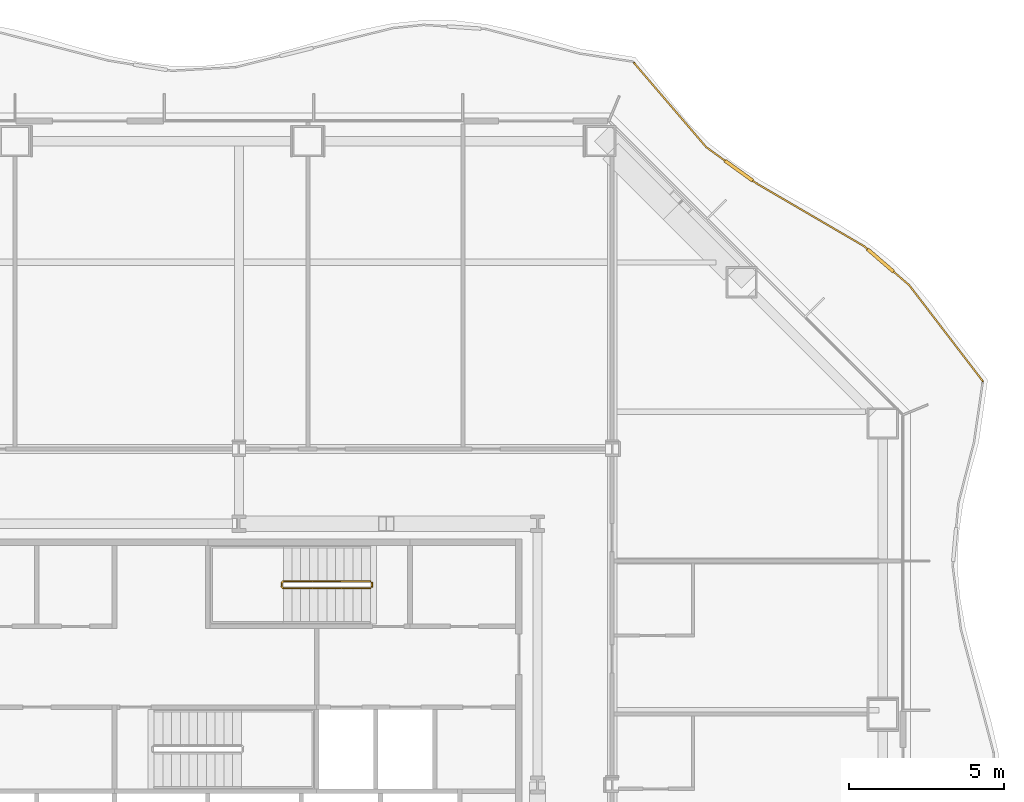
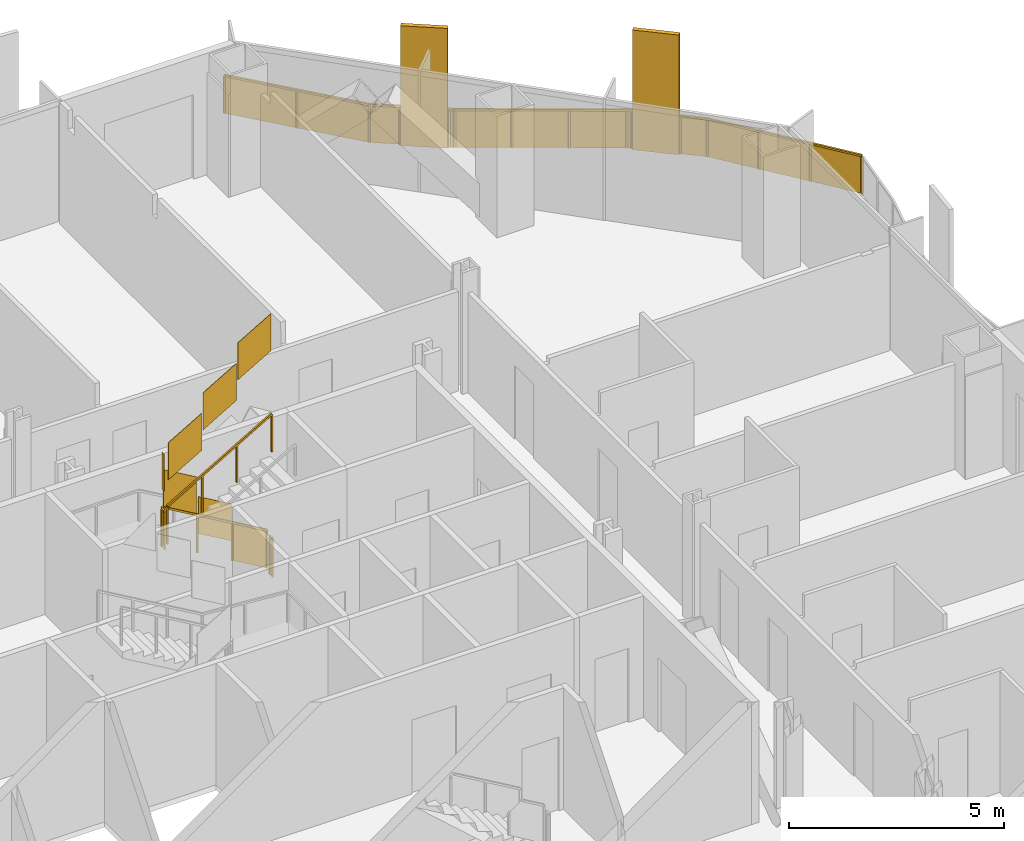
# One storey, part 21 of 21: 3 railings.
"""IFC4 building model written with IfcOpenShell, lengths in metres."""

from ifc_helpers import new_model, si_unit, direction, frame, origin, origin_2d, place, context, subcontext, project, spatial, polyline, rectangle, outline, extrude, material, type_object, element, save


model = new_model("IFC4")

# Units and contexts
model_context = context("Model", 3, precision=1e-05, world=origin(), true_north=direction((0.0, 1.0)))
body_context = subcontext(model_context, "Body", "Model", "MODEL_VIEW")
ifc_project = project(units=[si_unit("LENGTHUNIT", "METRE"), si_unit("AREAUNIT", "SQUARE_METRE"), si_unit("VOLUMEUNIT", "CUBIC_METRE"), si_unit("PLANEANGLEUNIT", "RADIAN"), si_unit("MASSUNIT", "GRAM", prefix="KILO")], contexts=[model_context])

# Site, building, storey
site_placement = place(None, origin())
site = spatial("IfcSite", under=ifc_project, at=site_placement, CompositionType="ELEMENT")
building_placement = place(site_placement, origin())
building = spatial("IfcBuilding", under=site, at=building_placement, Name="Cairn Pilgrim Tower", CompositionType="ELEMENT")
storey_placement = place(building_placement, frame((0.0, 0.0, 43.800048828125)))
storey = spatial("IfcBuildingStorey", under=building, at=storey_placement, Name="L08", CompositionType="ELEMENT", Elevation=43.800048828125)

# Railings
ifc_material_1 = material(Name="Bronze anodised aluminium rail, posts and fin screens with laminated glass infill", Category="aluminium")
railing_type_1 = type_object("IfcRailingType", Name="BALCONY GUARD WITH FIN SCREENS", PredefinedType="GUARDRAIL", material=ifc_material_1)
railing_1_placement = place(storey_placement, frame((31.11767578125, 15.384033203125, 0.0)))
element("IfcRailing", 1, at=railing_1_placement, inside=storey, type_object=railing_type_1, Name="Balcony guard BGF-4 with fin screens", PredefinedType="GUARDRAIL", context=body_context, shape_type="SweptSolid", body=[
    extrude(rectangle(XDim=0.050048828125, YDim=0.050048828125, at=origin_2d()), frame((0.0, 0.0, 1.0751953125), z_axis=(-0.608521134207, 0.793537667174, 0.0), x_axis=(-0.793537667174, -0.608521134207, 0.0)), (0.0, 0.0, 1.0), 3.89013671875),
    extrude(rectangle(XDim=1.10009765625, YDim=0.110107421875, at=origin_2d()), frame((-3.287109375, 3.88134765625, 0.0), z_axis=(0.0, 0.0, 1.0), x_axis=(-0.756840202902, 0.653599959663, 0.0)), (0.0, 0.0, 1.0), 3.39990234375),
    extrude(rectangle(XDim=0.050048828125, YDim=0.050048828125, at=origin_2d()), frame((-2.3671875, 3.0869140625, 1.0751953125), z_axis=(-0.756840202902, 0.653599959663, 0.0), x_axis=(-0.653599959663, -0.756840202902, 0.0)), (0.0, 0.0, 1.0), 0.66552734375),
    extrude(rectangle(XDim=0.050048828125, YDim=0.050048828125, at=origin_2d()), frame((-3.703369140625, 4.240966796875, 1.0751953125), z_axis=(-0.756840202902, 0.653599959663, 0.0), x_axis=(-0.653599959663, -0.756840202902, 0.0)), (0.0, 0.0, 1.0), 0.14990234375),
    extrude(rectangle(XDim=0.050048828125, YDim=0.050048828125, at=origin_2d()), frame((-3.81689453125, 4.3388671875, 1.0751953125), z_axis=(-0.863686011259, 0.504030231193, 0.0), x_axis=(-0.504030231193, -0.863686011259, 0.0)), (0.0, 0.0, 1.0), 4.00439453125),
    extrude(rectangle(XDim=1.10009765625, YDim=0.110107421875, at=origin_2d()), frame((-7.84326171875, 6.7666015625, 0.0), z_axis=(0.0, 0.0, 1.0), x_axis=(-0.811180439671, 0.58479594244, 0.0)), (0.0, 0.0, 1.0), 3.39990234375),
    extrude(rectangle(XDim=0.050048828125, YDim=0.050048828125, at=origin_2d()), frame((-7.275390625, 6.357177734375, 1.0751953125), z_axis=(-0.811180439671, 0.58479594244, 0.0), x_axis=(-0.58479594244, -0.811180439671, 0.0)), (0.0, 0.0, 1.0), 0.14990234375),
    extrude(rectangle(XDim=0.050048828125, YDim=0.050048828125, at=origin_2d()), frame((-8.289306640625, 7.088134765625, 1.0751953125), z_axis=(-0.811180439671, 0.58479594244, 0.0), x_axis=(-0.58479594244, -0.811180439671, 0.0)), (0.0, 0.0, 1.0), 0.73974609375),
    extrude(rectangle(XDim=0.050048828125, YDim=0.050048828125, at=origin_2d()), frame((-8.889404296875, 7.520751953125, 1.0751953125), z_axis=(-0.650966088441, 0.759106811786, 0.0), x_axis=(-0.759106811786, -0.650966088441, 0.0)), (0.0, 0.0, 1.0), 3.567138671875),
    extrude(rectangle(XDim=0.050048828125, YDim=0.050048828125, at=origin_2d()), origin(), (0.0, 0.0, 1.0), 1.050048828125),
    extrude(rectangle(XDim=0.050048828125, YDim=0.050048828125, at=origin_2d()), frame((-0.7890625, 1.029052734375, 0.0)), (0.0, 0.0, 1.0), 1.050048828125),
    extrude(rectangle(XDim=0.050048828125, YDim=0.050048828125, at=origin_2d()), frame((-1.578125, 2.057861328125, 0.0)), (0.0, 0.0, 1.0), 1.050048828125),
    extrude(rectangle(XDim=0.050048828125, YDim=0.050048828125, at=origin_2d()), frame((-2.3671875, 3.0869140625, 0.0)), (0.0, 0.0, 1.0), 1.050048828125),
    extrude(rectangle(XDim=0.050048828125, YDim=0.050048828125, at=origin_2d()), frame((-2.85205078125, 3.505615234375, 0.0)), (0.0, 0.0, 1.0), 1.050048828125),
    extrude(rectangle(XDim=0.050048828125, YDim=0.050048828125, at=origin_2d()), frame((-3.722412109375, 4.25732421875, 0.0)), (0.0, 0.0, 1.0), 1.050048828125),
    extrude(rectangle(XDim=0.050048828125, YDim=0.050048828125, at=origin_2d()), frame((-3.81689453125, 4.3388671875, 0.0)), (0.0, 0.0, 1.0), 1.050048828125),
    extrude(rectangle(XDim=0.050048828125, YDim=0.050048828125, at=origin_2d()), frame((-4.9697265625, 5.01171875, 0.0)), (0.0, 0.0, 1.0), 1.050048828125),
    extrude(rectangle(XDim=0.050048828125, YDim=0.050048828125, at=origin_2d()), frame((-6.12255859375, 5.684326171875, 0.0)), (0.0, 0.0, 1.0), 1.050048828125),
    extrude(rectangle(XDim=0.050048828125, YDim=0.050048828125, at=origin_2d()), frame((-7.275390625, 6.357177734375, 0.0)), (0.0, 0.0, 1.0), 1.050048828125),
    extrude(rectangle(XDim=0.050048828125, YDim=0.050048828125, at=origin_2d()), frame((-7.376708984375, 6.43017578125, 0.0)), (0.0, 0.0, 1.0), 1.050048828125),
    extrude(rectangle(XDim=0.050048828125, YDim=0.050048828125, at=origin_2d()), frame((-8.3095703125, 7.102783203125, 0.0)), (0.0, 0.0, 1.0), 1.050048828125),
    extrude(rectangle(XDim=0.050048828125, YDim=0.050048828125, at=origin_2d()), frame((-8.889404296875, 7.520751953125, 0.0)), (0.0, 0.0, 1.0), 1.050048828125),
    extrude(rectangle(XDim=0.050048828125, YDim=0.050048828125, at=origin_2d()), frame((-10.05029296875, 8.87451171875, 0.0)), (0.0, 0.0, 1.0), 1.050048828125),
    extrude(rectangle(XDim=0.050048828125, YDim=0.050048828125, at=origin_2d()), frame((-11.21142578125, 10.228515625, 0.0)), (0.0, 0.0, 1.0), 1.050048828125),
    extrude(outline(polyline([(0.02490234375, 0.0), (1.271728515625, 0.0), (1.271728515625, 1.050048828125), (0.02490234375, 1.050048828125), (0.02490234375, 0.0)])), frame((-0.004638671875, -0.003662109375, 0.0), z_axis=(0.793537667174, 0.608521134207, 0.0), x_axis=(-0.608521134207, 0.793537667174, 0.0)), (0.0, 0.0, 1.0), 0.011962890625),
    extrude(outline(polyline([(0.02490234375, 0.0), (1.271728515625, 0.0), (1.271728515625, 1.050048828125), (0.02490234375, 1.050048828125), (0.02490234375, 0.0)])), frame((-0.793701171875, 1.025390625, 0.0), z_axis=(0.793537667174, 0.608521134207, 0.0), x_axis=(-0.608521134207, 0.793537667174, 0.0)), (0.0, 0.0, 1.0), 0.011962890625),
    extrude(outline(polyline([(0.02490234375, 0.0), (1.271728515625, 0.0), (1.271728515625, 1.050048828125), (0.02490234375, 1.050048828125), (0.02490234375, 0.0)])), frame((-1.582763671875, 2.05419921875, 0.0), z_axis=(0.793537667174, 0.608521134207, 0.0), x_axis=(-0.608521134207, 0.793537667174, 0.0)), (0.0, 0.0, 1.0), 0.011962890625),
    extrude(outline(polyline([(0.02490234375, 0.0), (0.615478515625, 0.0), (0.615478515625, 1.050048828125), (0.02490234375, 1.050048828125), (0.02490234375, 0.0)])), frame((-2.37109375, 3.082275390625, 0.0), z_axis=(0.653599959663, 0.756840202902, 0.0), x_axis=(-0.756840202902, 0.653599959663, 0.0)), (0.0, 0.0, 1.0), 0.011962890625),
    extrude(outline(polyline([(0.02490234375, 0.0), (0.099853515625, 0.0), (0.099853515625, 1.050048828125), (0.02490234375, 1.050048828125), (0.02490234375, 0.0)])), frame((-3.726318359375, 4.252685546875, 0.0), z_axis=(0.653599959663, 0.756840202902, 0.0), x_axis=(-0.756840202902, 0.653599959663, 0.0)), (0.0, 0.0, 1.0), 0.011962890625),
    extrude(outline(polyline([(0.02490234375, 0.0), (1.309814453125, 0.0), (1.309814453125, 1.050048828125), (0.02490234375, 1.050048828125), (0.02490234375, 0.0)])), frame((-3.81982421875, 4.333740234375, 0.0), z_axis=(0.504030231193, 0.863686011259, 0.0), x_axis=(-0.863686011259, 0.504030231193, 0.0)), (0.0, 0.0, 1.0), 0.011962890625),
    extrude(outline(polyline([(0.02490234375, 0.0), (1.309814453125, 0.0), (1.309814453125, 1.050048828125), (0.02490234375, 1.050048828125), (0.02490234375, 0.0)])), frame((-4.97265625, 5.006591796875, 0.0), z_axis=(0.504030231193, 0.863686011259, 0.0), x_axis=(-0.863686011259, 0.504030231193, 0.0)), (0.0, 0.0, 1.0), 0.011962890625),
    extrude(outline(polyline([(0.02490234375, 0.0), (1.309814453125, 0.0), (1.309814453125, 1.050048828125), (0.02490234375, 1.050048828125), (0.02490234375, 0.0)])), frame((-6.12548828125, 5.67919921875, 0.0), z_axis=(0.504030231193, 0.863686011259, 0.0), x_axis=(-0.863686011259, 0.504030231193, 0.0)), (0.0, 0.0, 1.0), 0.011962890625),
    extrude(outline(polyline([(0.02490234375, 0.0), (0.099853515625, 0.0), (0.099853515625, 1.050048828125), (0.02490234375, 1.050048828125), (0.02490234375, 0.0)])), frame((-7.27880859375, 6.352294921875, 0.0), z_axis=(0.58479594244, 0.811180439671, 0.0), x_axis=(-0.811180439671, 0.58479594244, 0.0)), (0.0, 0.0, 1.0), 0.011962890625),
    extrude(outline(polyline([(0.02490234375, 0.0), (0.689697265625, 0.0), (0.689697265625, 1.050048828125), (0.02490234375, 1.050048828125), (0.02490234375, 0.0)])), frame((-8.31298828125, 7.097900390625, 0.0), z_axis=(0.58479594244, 0.811180439671, 0.0), x_axis=(-0.811180439671, 0.58479594244, 0.0)), (0.0, 0.0, 1.0), 0.011962890625),
    extrude(outline(polyline([(0.02490234375, 0.0), (1.758544921875, 0.0), (1.758544921875, 1.050048828125), (0.02490234375, 1.050048828125), (0.02490234375, 0.0)])), frame((-8.89404296875, 7.516845703125, 0.0), z_axis=(0.759106811786, 0.650966088441, 0.0), x_axis=(-0.650966088441, 0.759106811786, 0.0)), (0.0, 0.0, 1.0), 0.011962890625),
    extrude(outline(polyline([(0.02490234375, 0.0), (1.758544921875, 0.0), (1.758544921875, 1.050048828125), (0.02490234375, 1.050048828125), (0.02490234375, 0.0)])), frame((-10.054931640625, 8.870849609375, 0.0), z_axis=(0.759106811786, 0.650966088441, 0.0), x_axis=(-0.650966088441, 0.759106811786, 0.0)), (0.0, 0.0, 1.0), 0.011962890625),
])
ifc_material_2 = material(Name="Painted steel", Category="steel")
railing_type_2 = type_object("IfcRailingType", Name="STAIR GUARD 1100", PredefinedType="GUARDRAIL", material=ifc_material_2)
railing_2_placement = place(storey_placement, frame((11.425048828125, 8.949951171875, 0.16357421875)))
element("IfcRailing", 2, at=railing_2_placement, inside=storey, type_object=railing_type_2, Name="L08 ST-C stair guard 1", PredefinedType="GUARDRAIL", context=body_context, shape_type="SweptSolid", body=[
    extrude(rectangle(XDim=0.048095703125, YDim=0.048095703125, at=origin_2d()), frame((0.0, 0.0, 1.076171875), z_axis=(-0.863360870873, 0.0, 0.504586966384), x_axis=(0.0, -1.0, 0.0)), (0.0, 0.0, 1.0), 3.2431640625),
    extrude(rectangle(XDim=0.048095703125, YDim=0.048095703125, at=origin_2d()), frame((-2.800048828125, 0.0, 2.71240234375), z_axis=(-0.707106781187, -0.707106781187, 0.0), x_axis=(0.707106781187, -0.707106781187, 0.0)), (0.0, 0.0, 1.0), 0.07080078125),
    extrude(rectangle(XDim=0.048095703125, YDim=0.048095703125, at=origin_2d()), frame((-2.85009765625, -0.050048828125, 2.71240234375), z_axis=(0.0, -1.0, 0.0), x_axis=(1.0, 0.0, 0.0)), (0.0, 0.0, 1.0), 0.125),
    extrude(rectangle(XDim=0.048095703125, YDim=0.048095703125, at=origin_2d()), frame((-2.85009765625, -0.175048828125, 2.71240234375), z_axis=(0.280916556609, -0.279546231943, 0.91811752648), x_axis=(0.705375805398, 0.708833529934, 0.0)), (0.0, 0.0, 1.0), 0.17822265625),
    extrude(rectangle(XDim=0.048095703125, YDim=0.048095703125, at=origin_2d()), frame((-2.800048828125, -0.224853515625, 2.8759765625), z_axis=(0.863393664356, 0.0, 0.504530851732), x_axis=(0.0, 1.0, 0.0)), (0.0, 0.0, 1.0), 3.2431640625),
    extrude(rectangle(XDim=0.0419921875, YDim=0.0419921875, at=origin_2d()), origin(), (0.0, 0.0, 1.0), 1.052001953125),
    extrude(rectangle(XDim=0.0419921875, YDim=0.0419921875, at=origin_2d()), frame((-0.933349609375, 0.0, 0.54541015625)), (0.0, 0.0, 1.0), 1.052001953125),
    extrude(rectangle(XDim=0.0419921875, YDim=0.0419921875, at=origin_2d()), frame((-1.86669921875, 0.0, 1.091064453125)), (0.0, 0.0, 1.0), 1.052001953125),
    extrude(rectangle(XDim=0.0419921875, YDim=0.0419921875, at=origin_2d()), frame((-2.800048828125, 0.0, 1.636474609375)), (0.0, 0.0, 1.0), 1.052001953125),
    extrude(rectangle(XDim=0.0419921875, YDim=0.0419921875, at=origin_2d()), frame((-2.85009765625, -0.050048828125, 1.636474609375)), (0.0, 0.0, 1.0), 1.052001953125),
    extrude(rectangle(XDim=0.0419921875, YDim=0.0419921875, at=origin_2d()), frame((-2.85009765625, -0.175048828125, 1.636474609375)), (0.0, 0.0, 1.0), 1.052001953125),
    extrude(rectangle(XDim=0.0419921875, YDim=0.0419921875, at=origin_2d()), frame((-2.800048828125, -0.224853515625, 1.800048828125)), (0.0, 0.0, 1.0), 1.052001953125),
    extrude(rectangle(XDim=0.0419921875, YDim=0.0419921875, at=origin_2d()), frame((-1.86669921875, -0.224853515625, 2.345458984375)), (0.0, 0.0, 1.0), 1.052001953125),
    extrude(rectangle(XDim=0.0419921875, YDim=0.0419921875, at=origin_2d()), frame((-0.933349609375, -0.224853515625, 2.890869140625)), (0.0, 0.0, 1.0), 1.052001953125),
    extrude(rectangle(XDim=0.0419921875, YDim=0.0419921875, at=origin_2d()), frame((0.0, -0.224853515625, 3.436279296875)), (0.0, 0.0, 1.0), 1.052001953125),
    extrude(outline(polyline([(0.02099609375, 0.01220703125), (0.912353515625, 0.533203125), (0.912353515625, 1.585205078125), (0.02099609375, 1.064208984375), (0.02099609375, 0.01220703125)])), frame((0.0, -0.005859375, 0.0), z_axis=(0.0, 1.0, 0.0), x_axis=(-1.0, 0.0, 0.0)), (0.0, 0.0, 1.0), 0.011962890625),
    extrude(outline(polyline([(0.02099609375, 0.557861328125), (0.912353515625, 1.07861328125), (0.912353515625, 2.130615234375), (0.02099609375, 1.60986328125), (0.02099609375, 0.557861328125)])), frame((-0.933349609375, -0.005859375, 0.54541015625), z_axis=(0.0, 1.0, 0.0), x_axis=(-1.0, 0.0, 0.0)), (0.0, 0.0, 1.0), 0.011962890625),
    extrude(outline(polyline([(0.02099609375, 1.103271484375), (0.912353515625, 1.624267578125), (0.912353515625, 2.67626953125), (0.02099609375, 2.1552734375), (0.02099609375, 1.103271484375)])), frame((-1.86669921875, -0.005859375, 1.091064453125), z_axis=(0.0, 1.0, 0.0), x_axis=(-1.0, 0.0, 0.0)), (0.0, 0.0, 1.0), 0.011962890625),
    extrude(outline(polyline([(0.02099609375, 1.636474609375), (0.10400390625, 1.636474609375), (0.10400390625, 2.6884765625), (0.02099609375, 2.6884765625), (0.02099609375, 1.636474609375)])), frame((-2.84423828125, -0.050048828125, 1.636474609375), z_axis=(-1.0, 0.0, 0.0), x_axis=(0.0, -1.0, 0.0)), (0.0, 0.0, 1.0), 0.011962890625),
    extrude(outline(polyline([(0.02099609375, 1.812255859375), (0.912353515625, 2.333251953125), (0.912353515625, 3.38525390625), (0.02099609375, 2.8642578125), (0.02099609375, 1.812255859375)])), frame((-2.800048828125, -0.21875, 1.800048828125), z_axis=(0.0, -1.0, 0.0), x_axis=(1.0, 0.0, 0.0)), (0.0, 0.0, 1.0), 0.011962890625),
    extrude(outline(polyline([(0.02099609375, 2.357666015625), (0.912353515625, 2.878662109375), (0.912353515625, 3.9306640625), (0.02099609375, 3.40966796875), (0.02099609375, 2.357666015625)])), frame((-1.86669921875, -0.21875, 2.345458984375), z_axis=(0.0, -1.0, 0.0), x_axis=(1.0, 0.0, 0.0)), (0.0, 0.0, 1.0), 0.011962890625),
    extrude(outline(polyline([(0.02099609375, 2.903076171875), (0.912353515625, 3.424072265625), (0.912353515625, 4.47607421875), (0.02099609375, 3.955078125), (0.02099609375, 2.903076171875)])), frame((-0.933349609375, -0.21875, 2.890869140625), z_axis=(0.0, -1.0, 0.0), x_axis=(1.0, 0.0, 0.0)), (0.0, 0.0, 1.0), 0.011962890625),
])
railing_3_placement = place(storey_placement, frame((11.47509765625, 8.89990234375, 0.0)))
element("IfcRailing", 3, at=railing_3_placement, inside=storey, type_object=railing_type_2, Name="L08 ST-C stair guard 2", PredefinedType="GUARDRAIL", context=body_context, shape_type="SweptSolid", body=[
    extrude(rectangle(XDim=0.048095703125, YDim=0.048095703125, at=origin_2d()), frame((0.0, 0.0, 1.076171875), z_axis=(0.0, -1.0, 0.0), x_axis=(1.0, 0.0, 0.0)), (0.0, 0.0, 1.0), 0.125),
    extrude(rectangle(XDim=0.0419921875, YDim=0.0419921875, at=origin_2d()), origin(), (0.0, 0.0, 1.0), 1.052001953125),
    extrude(rectangle(XDim=0.0419921875, YDim=0.0419921875, at=origin_2d()), frame((0.0, -0.125, 0.0)), (0.0, 0.0, 1.0), 1.052001953125),
    extrude(outline(polyline([(0.02099609375, 0.0), (0.10400390625, 0.0), (0.10400390625, 1.052001953125), (0.02099609375, 1.052001953125), (0.02099609375, 0.0)])), frame((0.005859375, 0.0, 0.0), z_axis=(-1.0, 0.0, 0.0), x_axis=(0.0, -1.0, 0.0)), (0.0, 0.0, 1.0), 0.011962890625),
])

save(model, "model.ifc")
